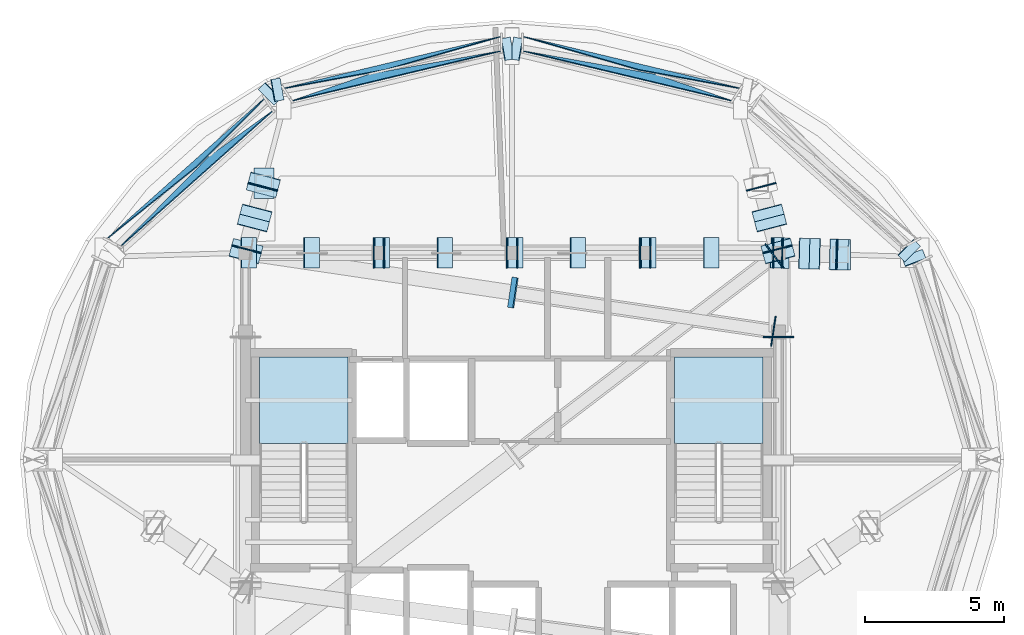
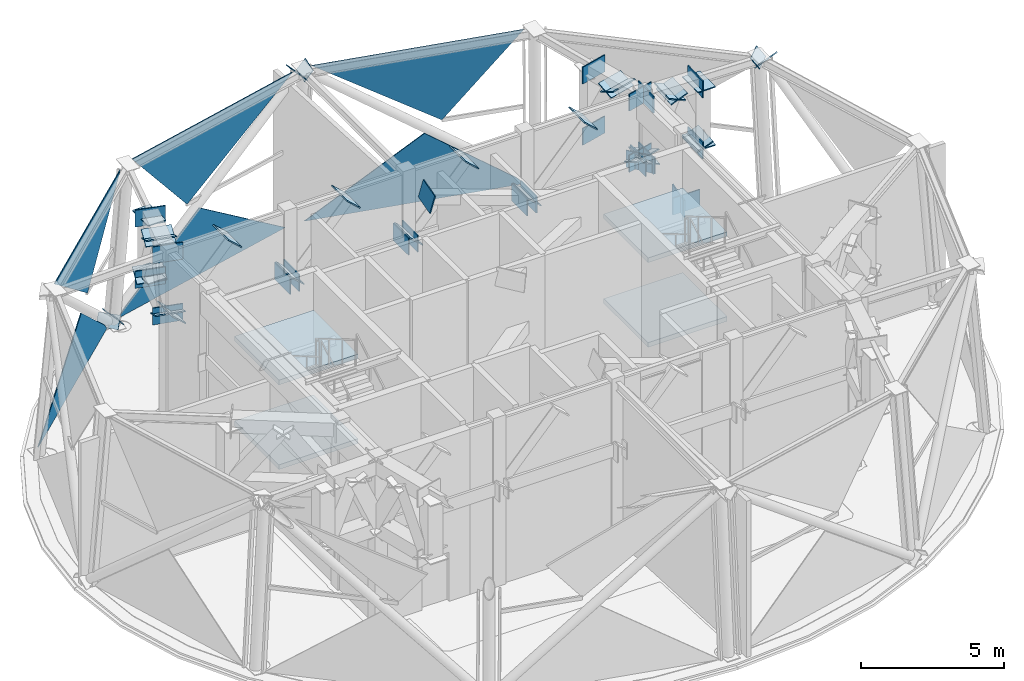
# One storey, part 6 of 12: 58 plates, 4 slabs, 5 elements without a shape of their own.
"""IFC4 building model written with IfcOpenShell, lengths in metres."""

import ifcopenshell
import ifcopenshell.guid

model = None  # the IFC model being written
_history = None  # IfcOwnerHistory: only IFC2X3 demands one
_inside = {}  # id of a spatial element -> (the spatial element, [elements in it])
_under = {}  # id of a project, library or spatial element -> (it, [spatial elements below it])
_declared = {}  # id of a project -> (the project, [libraries it declares])
_typed = {}  # id of a type object -> (the type object, [elements of that type])
_made_of = {}  # id of a material, layer set ... -> (it, [elements and type objects made of it])


def new_model(schema):
    """Start an empty IFC model of exactly this schema.

    Asked for "IFC4X3", IfcOpenShell would pick the latest addendum, in which some entities
    have other attributes; the version numbers below select the first issue.
    IFC2X3 requires an IfcOwnerHistory on every rooted entity: one is made here for all.
    """
    global model, _history
    if schema == "IFC4X3":
        model = ifcopenshell.file(schema_version=(4, 3, 0, 0))
    else:
        model = ifcopenshell.file(schema=schema)
    _inside.clear()
    _under.clear()
    _declared.clear()
    _typed.clear()
    _made_of.clear()
    _history = None
    if model.schema == "IFC2X3":
        org = make("IfcOrganization", Name="unknown")
        user = make(
            "IfcPersonAndOrganization",
            ThePerson=make("IfcPerson", FamilyName="unknown"),
            TheOrganization=org,
        )
        app = make(
            "IfcApplication",
            ApplicationDeveloper=org,
            Version="unknown",
            ApplicationFullName="unknown",
            ApplicationIdentifier="unknown",
        )
        _history = make(
            "IfcOwnerHistory",
            OwningUser=user,
            OwningApplication=app,
            ChangeAction="ADDED",
            CreationDate=0,
        )
    return model


def make(cls, **values):
    """One entity of the class cls with the attributes given. An attribute that is None is left unset."""
    return model.create_entity(
        cls, **{name: value for name, value in values.items() if value is not None}
    )


def rooted(cls, **values):
    """An entity with a GlobalId (a new one), such as an element, a storey or a relation."""
    return make(cls, GlobalId=ifcopenshell.guid.new(), OwnerHistory=_history, **values)


def si_unit(unit_type, name, prefix=None):
    """IfcSIUnit, for example si_unit("LENGTHUNIT", "METRE", prefix="MILLI")."""
    return make("IfcSIUnit", UnitType=unit_type, Prefix=prefix, Name=name)


def assignment(units):
    """IfcUnitAssignment: the units of a project."""
    return None if units is None else make("IfcUnitAssignment", Units=units)


def point(xyz):
    """IfcCartesianPoint."""
    return None if xyz is None else make("IfcCartesianPoint", Coordinates=xyz)


def direction(xyz):
    """IfcDirection."""
    return None if xyz is None else make("IfcDirection", DirectionRatios=xyz)


def frame(location, z_axis=None, x_axis=None):
    """IfcAxis2Placement3D, a coordinate frame: its origin and axes. An axis left out is left unset."""
    return make(
        "IfcAxis2Placement3D",
        Location=point(location),
        Axis=direction(z_axis),
        RefDirection=direction(x_axis),
    )


def frame_2d(location, x_axis=None):
    """IfcAxis2Placement2D, a coordinate frame in the plane: its origin and x axis."""
    return make(
        "IfcAxis2Placement2D", Location=point(location), RefDirection=direction(x_axis)
    )


def origin():
    """The frame at (0, 0, 0) with its axes left unset."""
    return frame((0.0, 0.0, 0.0))


def origin_2d():
    """The frame at (0, 0) in the plane with its x axis left unset."""
    return frame_2d((0.0, 0.0))


def place(relative_to, where):
    """IfcLocalPlacement: puts the frame where relative to a parent placement (None: the world)."""
    return make(
        "IfcLocalPlacement", PlacementRelTo=relative_to, RelativePlacement=where
    )


def context(
    kind, dimensions, precision=None, world=None, true_north=None, identifier=None
):
    """IfcGeometricRepresentationContext, for example the 3D "Model" context."""
    return make(
        "IfcGeometricRepresentationContext",
        ContextIdentifier=identifier,
        ContextType=kind,
        CoordinateSpaceDimension=dimensions,
        Precision=precision,
        WorldCoordinateSystem=world,
        TrueNorth=true_north,
    )


def subcontext(parent, identifier, kind, view, scale=None):
    """IfcGeometricRepresentationSubContext, for example "Body" below "Model"."""
    return make(
        "IfcGeometricRepresentationSubContext",
        ContextIdentifier=identifier,
        ContextType=kind,
        ParentContext=parent,
        TargetScale=scale,
        TargetView=view,
    )


def project(units=None, contexts=None):
    """IfcProject with its units and contexts."""
    return rooted(
        "IfcProject",
        Name="project",
        RepresentationContexts=contexts,
        UnitsInContext=assignment(units),
    )


def spatial(cls, under=None, at=None, **own):
    """A site, building, storey or space (cls), placed at a placement, below another one or the project."""
    s = rooted(cls, ObjectPlacement=at, **own)
    if under is not None:
        _under.setdefault(under.id(), (under, []))[1].append(s)
    return s


def polyline(points):
    """IfcPolyline through the points."""
    return make("IfcPolyline", Points=[point(p) for p in points])


def profile(cls, at=None, kind="AREA", **sizes):
    """A parametric profile (cls). Its sizes go by their IFC names, for example OverallWidth=200.0."""
    return make(cls, ProfileType=kind, Position=at, **sizes)


def rectangle(**sizes):
    """IfcRectangleProfileDef."""
    return profile("IfcRectangleProfileDef", **sizes)


def outline(outer, holes=None, kind="AREA"):
    """IfcArbitraryClosedProfileDef: a profile drawn as a closed curve; with holes, ...WithVoids."""
    if holes is None:
        return make("IfcArbitraryClosedProfileDef", ProfileType=kind, OuterCurve=outer)
    return make(
        "IfcArbitraryProfileDefWithVoids",
        ProfileType=kind,
        OuterCurve=outer,
        InnerCurves=holes,
    )


def extrude(swept, where, along, depth):
    """IfcExtrudedAreaSolid: the profile swept, set in the frame where, extruded along a direction by depth."""
    return make(
        "IfcExtrudedAreaSolid",
        SweptArea=swept,
        Position=where,
        ExtrudedDirection=direction(along),
        Depth=depth,
    )


def shape(context_of_items, identifier, shape_type, items):
    """IfcShapeRepresentation: the items that make up one representation, for example the "Body"."""
    return make(
        "IfcShapeRepresentation",
        ContextOfItems=context_of_items,
        RepresentationIdentifier=identifier,
        RepresentationType=shape_type,
        Items=items,
    )


def material(Name=None, Category=None):
    """IfcMaterial."""
    return make("IfcMaterial", Name=Name, Category=Category)


def layer(
    of_material, thickness, ventilated=None, Name=None, Category=None, Priority=None
):
    """IfcMaterialLayer: one layer of a wall or slab, of a material (None: an air gap)."""
    return make(
        "IfcMaterialLayer",
        Material=of_material,
        LayerThickness=thickness,
        IsVentilated=ventilated,
        Name=Name,
        Category=Category,
        Priority=Priority,
    )


def layer_set(layers, Name=None):
    """IfcMaterialLayerSet."""
    return make("IfcMaterialLayerSet", MaterialLayers=layers, LayerSetName=Name)


def made_of(thing, what):
    """Note that an element or type object is made of a material, layer set ...; save() writes the relation."""
    if what is not None:
        _made_of.setdefault(what.id(), (what, []))[1].append(thing)
    return thing


def type_object(cls, material=None, **own):
    """A type object (cls), such as IfcWallType, which elements share."""
    return made_of(rooted(cls, **own), material)


def element(
    cls,
    number,
    at=None,
    inside=None,
    cuts=None,
    type_object=None,
    material=None,
    context=None,
    identifier="Body",
    shape_type=None,
    held_by="IfcProductDefinitionShape",
    body=None,
    shapes=None,
    **own,
):
    """One element of the class cls, such as IfcWall. Its Tag is "e" and its number.

    at: its placement. inside: the storey or other place that contains it. cuts: it is an
    opening in that element (IfcRelVoidsElement). A single representation is given by context,
    identifier, shape_type and body (its items); several are given by shapes. held_by: the class
    of the entity that holds the representations. save() writes the other relations.
    """
    e = rooted(cls, Tag="e%d" % number, ObjectPlacement=at, **own)
    if body is not None:
        shapes = [shape(context, identifier, shape_type, body)]
    if shapes is not None:
        e.Representation = make(held_by, Representations=shapes)
    if inside is not None:
        _inside.setdefault(inside.id(), (inside, []))[1].append(e)
    if cuts is not None:
        rooted(
            "IfcRelVoidsElement", RelatingBuildingElement=cuts, RelatedOpeningElement=e
        )
    if type_object is not None:
        _typed.setdefault(type_object.id(), (type_object, []))[1].append(e)
    return made_of(e, material)


def aggregate(whole, parts):
    """IfcRelAggregates: a whole, such as a stair, and the parts it consists of."""
    return rooted("IfcRelAggregates", RelatingObject=whole, RelatedObjects=parts)


def save(model, path):
    """Write the relations noted so far, then the file.

    IfcRelAggregates (storeys below a building ...), IfcRelContainedInSpatialStructure (elements
    in a storey), IfcRelDefinesByType, IfcRelAssociatesMaterial and IfcRelDeclares: one each for
    every whole, place, type object, material and project.
    """
    for whole, parts in _under.values():
        aggregate(whole, parts)
    for where, things in _inside.values():
        rooted(
            "IfcRelContainedInSpatialStructure",
            RelatedElements=things,
            RelatingStructure=where,
        )
    for kind, things in _typed.values():
        rooted("IfcRelDefinesByType", RelatedObjects=things, RelatingType=kind)
    for what, things in _made_of.values():
        rooted("IfcRelAssociatesMaterial", RelatedObjects=things, RelatingMaterial=what)
    for by, libraries in _declared.values():
        rooted("IfcRelDeclares", RelatingContext=by, RelatedDefinitions=libraries)
    model.write(path)


model = new_model("IFC4")

# Units and contexts
model_context = context("Model", 3, precision=1e-05, world=origin(), true_north=direction((0.0, 1.0)))
body_context = subcontext(model_context, "Body", "Model", "MODEL_VIEW")
ifc_project = project(units=[si_unit("LENGTHUNIT", "METRE"), si_unit("AREAUNIT", "SQUARE_METRE"), si_unit("VOLUMEUNIT", "CUBIC_METRE"), si_unit("PLANEANGLEUNIT", "RADIAN"), si_unit("MASSUNIT", "GRAM", prefix="KILO")], contexts=[model_context])

# Site, building, storey
site_placement = place(None, origin())
site = spatial("IfcSite", under=ifc_project, at=site_placement, CompositionType="ELEMENT")
building_placement = place(site_placement, origin())
building = spatial("IfcBuilding", under=site, at=building_placement, Name="Vantalir Tower", CompositionType="ELEMENT")
storey_placement = place(building_placement, frame((0.0, 0.0, 304.5)))
storey = spatial("IfcBuildingStorey", under=building, at=storey_placement, Name="L76", CompositionType="ELEMENT", Elevation=304.5)

# Curtain wall, plates
ifc_material_1 = material(Name="Champagne-silver PVDF aluminium and double-silver Low-E glass", Category="aluminium")
ifc_layer_1 = layer(ifc_material_1, 0.25)
ifc_layer_set_1 = layer_set([ifc_layer_1], Name="Champagne-silver PVDF aluminium and double-silver Low-E glass")
curtain_wall_type = type_object("IfcCurtainWallType", Name="CW-CROWN-PT", PredefinedType="USERDEFINED", material=ifc_layer_set_1)
curtain_wall_1_placement = place(storey_placement, origin())
curtain_wall_1 = element("IfcCurtainWall", 1, at=curtain_wall_1_placement, inside=storey, type_object=curtain_wall_type, Name="L76 Quilted Pyramid-Diamond Curtain Wall S03", ObjectType="UNITISED CURTAIN WALL", PredefinedType="USERDEFINED")
ifc_material_2 = material(Name="Faceted crown Low-E glass IGU", Category="glass")
ifc_layer_2 = layer(ifc_material_2, 0.033935546875)
ifc_layer_set_2 = layer_set([ifc_layer_2], Name="Faceted crown Low-E glass IGU")
plate_type_1 = type_object("IfcPlateType", Name="CWP-IGU-CRN-34", PredefinedType="CURTAIN_PANEL", material=ifc_layer_set_2)
plate_1_placement = place(storey_placement, frame((39.7265625, 38.390625, 0.049560546875), z_axis=(0.231602660669, 0.970565018604, 0.066058702936), x_axis=(-0.972688241841, 0.232115437018, -8.989938e-05)))
plate_1 = element("IfcPlate", 2, at=plate_1_placement, type_object=plate_type_1, Name="CW-L76-S03 Pyramid Diamond Facet 1L", PredefinedType="CURTAIN_PANEL", context=body_context, shape_type="SweptSolid", body=[
    extrude(outline(polyline([(0.0, 0.0), (8.053168529048223, -8.673617379884035e-19), (3.716750632867985, 3.039443789414845), (0.2773858312166678, 0.3124835089575333), (0.0, 0.0)])), origin(), (0.0, 0.0, -1.0), 0.033935546875),
])
plate_2_placement = place(storey_placement, frame((31.8935546875, 39.736328125, 7.02099609375), z_axis=(0.231351826003, 0.969610861897, 0.079568266897), x_axis=(0.972696615583, -0.232080341921, -9.448243e-05)))
plate_2 = element("IfcPlate", 3, at=plate_2_placement, type_object=plate_type_1, Name="CW-L76-S03 Pyramid Diamond Facet 2U", PredefinedType="CURTAIN_PANEL", context=body_context, shape_type="SweptSolid", body=[
    extrude(outline(polyline([(0.0, 0.0), (7.751937327965951, -1.8214596497756474e-17), (4.84139455748498, 3.482263072949367), (0.0, 0.0)])), origin(), (0.0, 0.0, -1.0), 0.033935546875),
])
aggregate(curtain_wall_1, [plate_1, plate_2])

curtain_wall_2_placement = place(storey_placement, origin())
curtain_wall_2 = element("IfcCurtainWall", 4, at=curtain_wall_2_placement, inside=storey, type_object=curtain_wall_type, Name="L76 Quilted Pyramid-Diamond Curtain Wall S04", ObjectType="UNITISED CURTAIN WALL", PredefinedType="USERDEFINED")
plate_3_placement = place(storey_placement, frame((31.106689453125, 40.259765625, 0.048828125), z_axis=(-0.231608581119, 0.970562169231, 0.066079806366), x_axis=(-0.972686754468, -0.232121669984, 8.9474678e-05)))
plate_3 = element("IfcPlate", 5, at=plate_3_placement, type_object=plate_type_1, Name="CW-L76-S04 Pyramid Diamond Facet 1L", PredefinedType="CURTAIN_PANEL", context=body_context, shape_type="SweptSolid", body=[
    extrude(outline(polyline([(0.0, 0.0), (8.053168528060962, 1.8648277366750676e-17), (7.775545225171666, 0.3124872774646173), (4.336180443328358, 3.0396911604686), (0.0, 0.0)])), origin(), (0.0, 0.0, -1.0), 0.033935546875),
])
plate_4_placement = place(storey_placement, frame((23.567138671875, 37.937255859375, 7.020263671875), z_axis=(-0.231379731851, 0.969602214932, 0.079592490145), x_axis=(0.972689829075, 0.232108783733, 9.4494009e-05)))
plate_4 = element("IfcPlate", 6, at=plate_4_placement, type_object=plate_type_1, Name="CW-L76-S04 Pyramid Diamond Facet 2U", PredefinedType="CURTAIN_PANEL", context=body_context, shape_type="SweptSolid", body=[
    extrude(outline(polyline([(0.0, 0.0), (7.750987432240818, -1.734723475976807e-18), (2.9098384115597766, 3.4822697955235453), (0.0, 0.0)])), origin(), (0.0, 0.0, -1.0), 0.033935546875),
])
aggregate(curtain_wall_2, [plate_3, plate_4])

curtain_wall_3_placement = place(storey_placement, origin())
curtain_wall_3 = element("IfcCurtainWall", 7, at=curtain_wall_3_placement, inside=storey, type_object=curtain_wall_type, Name="L76 Quilted Pyramid-Diamond Curtain Wall S05", ObjectType="UNITISED CURTAIN WALL", PredefinedType="USERDEFINED")
plate_5_placement = place(storey_placement, frame((22.578369140625, 38.02783203125, 0.0498046875), z_axis=(-0.663493878965, 0.744952634524, 0.069436625004), x_axis=(-0.746759466525, -0.6650941963, -9.5934364e-05)))
plate_5 = element("IfcPlate", 8, at=plate_5_placement, type_object=plate_type_1, Name="CW-L76-S05 Pyramid Diamond Facet 1L", PredefinedType="CURTAIN_PANEL", context=body_context, shape_type="SweptSolid", body=[
    extrude(outline(polyline([(0.0, 0.0), (7.641079914454455, -2.0274580625478933e-17), (3.491071217020238, 3.040388159549212), (0.28993999051542213, 0.3487693892709729), (0.0, 0.0)])), origin(), (0.0, 0.0, -1.0), 0.033935546875),
])
plate_6_placement = place(storey_placement, frame((17.3798828125, 32.68408203125, 7.020751953125), z_axis=(-0.662714270449, 0.744242613917, 0.083142813115), x_axis=(0.746824715228, 0.665020932239, -6.6399175e-05)))
plate_6 = element("IfcPlate", 9, at=plate_6_placement, type_object=plate_type_1, Name="CW-L76-S05 Pyramid Diamond Facet 2U", PredefinedType="CURTAIN_PANEL", context=body_context, shape_type="SweptSolid", body=[
    extrude(outline(polyline([(0.0, 0.0), (7.353724705939372, -1.2847795743953228e-17), (4.5444695739133065, 3.48294887961231), (0.0, 0.0)])), origin(), (0.0, 0.0, -1.0), 0.033935546875),
])
aggregate(curtain_wall_3, [plate_5, plate_6])

# Plates
ifc_material_3 = material(Name="Steel S460", Category="steel")
ifc_layer_3 = layer(ifc_material_3, 0.044921875)
ifc_layer_set_3 = layer_set([ifc_layer_3], Name="Steel S460")
plate_type_2 = type_object("IfcPlateType", Name="PLT-BN-01", PredefinedType="USERDEFINED", material=ifc_layer_set_3)
for number, where, z_axis, x_axis, name in (
    (10, (41.10009765625, 29.4150390625, 3.83984375), (0.0, 0.0, 1.0), (0.0, 1.0, 0.0), "Node Cap Plate MEM-L76-BTCB-08 End"),
    (11, (40.9169921875, 29.626953125, 3.83984375), (0.0, 0.0, 1.0), (-0.989162420293, 0.146825427908, 0.0), "Node Cap Plate MEM-L76-BTCB-09 Start"),
):
    element("IfcPlate", number, at=place(storey_placement, frame(where, z_axis=z_axis, x_axis=x_axis)), inside=storey, type_object=plate_type_2, Name=name, ObjectType="FLANGE_PLATE", PredefinedType="USERDEFINED", context=body_context, shape_type="SweptSolid", body=[
        extrude(rectangle(XDim=0.044921875, YDim=1.10009765625, at=origin_2d()), origin(), (0.0, 0.0, 1.0), 0.719970703125),
    ])
plate_7_placement = place(storey_placement, frame((31.500244140625, 31.5810546875, 6.468994140625), z_axis=(-0.954954922343, 0.141732708353, 0.260716197571), x_axis=(-0.146802682342, -0.989165795857, 2.7628286e-05)))
element("IfcPlate", 12, at=plate_7_placement, inside=storey, type_object=plate_type_2, Name="Node Cap Plate MEM-L76-BTDG-09A End", ObjectType="FLANGE_PLATE", PredefinedType="USERDEFINED", context=body_context, shape_type="SweptSolid", body=[
    extrude(outline(polyline([(0.0, 0.0), (1.1000362610263053, 0.0), (1.1001056834095588, 0.7199366224378649), (3.35818846350386e-05, 0.7199995851968726), (0.0, 0.0)])), origin(), (0.0, 0.0, -1.0), 0.044921875),
])
plate_8_placement = place(storey_placement, frame((26.514892578125, 32.449951171875, 3.83984375), z_axis=(0.0, 0.0, 1.0), x_axis=(1.0, 0.0, 0.0)))
element("IfcPlate", 13, at=plate_8_placement, inside=storey, type_object=plate_type_2, Name="Node Cap Plate MEM-L76-BTCB-10 End", ObjectType="FLANGE_PLATE", PredefinedType="USERDEFINED", context=body_context, shape_type="SweptSolid", body=[
    extrude(rectangle(XDim=0.044921875, YDim=1.10009765625, at=origin_2d()), origin(), (0.0, 0.0, 1.0), 0.719970703125),
])
plate_9_placement = place(storey_placement, frame((22.29248046875, 31.89990234375, 4.095458984375), z_axis=(0.675402139581, 0.0, 0.737449625296), x_axis=(0.0, 1.0, 0.0)))
element("IfcPlate", 14, at=plate_9_placement, inside=storey, type_object=plate_type_2, Name="Node Cap Plate MEM-L76-BTDG-10A Start", ObjectType="FLANGE_PLATE", PredefinedType="USERDEFINED", context=body_context, shape_type="SweptSolid", body=[
    extrude(outline(polyline([(0.0, 0.0), (1.10009765625, 0.0), (1.10009765625, 0.720057128189561), (0.0, 0.720057128189561), (0.0, 0.0)])), origin(), (0.0, 0.0, -1.0), 0.044921875),
])
plate_10_placement = place(storey_placement, frame((24.556640625, 31.89990234375, 6.567138671875), z_axis=(0.675571040077, 0.0, 0.737294900165), x_axis=(0.0, 1.0, 0.0)))
element("IfcPlate", 15, at=plate_10_placement, inside=storey, type_object=plate_type_2, Name="Node Cap Plate MEM-L76-BTDG-10A End", ObjectType="FLANGE_PLATE", PredefinedType="USERDEFINED", context=body_context, shape_type="SweptSolid", body=[
    extrude(outline(polyline([(0.0, 0.0), (1.10009765625, 0.0), (1.10009765625, 0.719877105662119), (0.0, 0.719877105662119), (0.0, 0.0)])), origin(), (0.0, 0.0, -1.0), 0.044921875),
])
for number, where, z_axis, x_axis, name in (
    (16, (26.885009765625, 32.449951171875, 3.83984375), (0.0, 0.0, 1.0), (1.0, 0.0, 0.0), "Node Cap Plate MEM-L76-BTCB-11 Start"),
    (17, (31.31494140625, 32.449951171875, 3.83984375), (0.0, 0.0, 1.0), (1.0, 0.0, 0.0), "Node Cap Plate MEM-L76-BTCB-11 End"),
):
    element("IfcPlate", number, at=place(storey_placement, frame(where, z_axis=z_axis, x_axis=x_axis)), inside=storey, type_object=plate_type_2, Name=name, ObjectType="FLANGE_PLATE", PredefinedType="USERDEFINED", context=body_context, shape_type="SweptSolid", body=[
        extrude(rectangle(XDim=0.044921875, YDim=1.10009765625, at=origin_2d()), origin(), (0.0, 0.0, 1.0), 0.719970703125),
    ])
for number, where, z_axis, x_axis, name in (
    (18, (27.092529296875, 31.89990234375, 4.095458984375), (0.675402139581, 0.0, 0.737449625296), (0.0, 1.0, 0.0), "Node Cap Plate MEM-L76-BTDG-11A Start"),
    (19, (29.356689453125, 31.89990234375, 6.567138671875), (0.675402139581, 0.0, 0.737449625296), (0.0, 1.0, 0.0), "Node Cap Plate MEM-L76-BTDG-11A End"),
):
    element("IfcPlate", number, at=place(storey_placement, frame(where, z_axis=z_axis, x_axis=x_axis)), inside=storey, type_object=plate_type_2, Name=name, ObjectType="FLANGE_PLATE", PredefinedType="USERDEFINED", context=body_context, shape_type="SweptSolid", body=[
        extrude(outline(polyline([(0.0, 0.0), (1.10009765625, 0.0), (1.10009765625, 0.720057128189561), (0.0, 0.720057128189561), (0.0, 0.0)])), origin(), (0.0, 0.0, -1.0), 0.044921875),
    ])
for number, where, z_axis, x_axis, name in (
    (20, (31.68505859375, 32.449951171875, 3.83984375), (0.0, 0.0, 1.0), (1.0, 0.0, 0.0), "Node Cap Plate MEM-L76-BTCB-12 Start"),
    (21, (36.114990234375, 32.449951171875, 3.83984375), (0.0, 0.0, 1.0), (1.0, 0.0, 0.0), "Node Cap Plate MEM-L76-BTCB-12 End"),
):
    element("IfcPlate", number, at=place(storey_placement, frame(where, z_axis=z_axis, x_axis=x_axis)), inside=storey, type_object=plate_type_2, Name=name, ObjectType="FLANGE_PLATE", PredefinedType="USERDEFINED", context=body_context, shape_type="SweptSolid", body=[
        extrude(rectangle(XDim=0.044921875, YDim=1.10009765625, at=origin_2d()), origin(), (0.0, 0.0, 1.0), 0.719970703125),
    ])
plate_11_placement = place(storey_placement, frame((31.892333984375, 31.89990234375, 4.095458984375), z_axis=(0.675571040077, 0.0, 0.737294900165), x_axis=(0.0, 1.0, 0.0)))
element("IfcPlate", 22, at=plate_11_placement, inside=storey, type_object=plate_type_2, Name="Node Cap Plate MEM-L76-BTDG-12A Start", ObjectType="FLANGE_PLATE", PredefinedType="USERDEFINED", context=body_context, shape_type="SweptSolid", body=[
    extrude(outline(polyline([(0.0, 0.0), (1.10009765625, 0.0), (1.10009765625, 0.719877105662119), (0.0, 0.719877105662119), (0.0, 0.0)])), origin(), (0.0, 0.0, -1.0), 0.044921875),
])
plate_12_placement = place(storey_placement, frame((34.15673828125, 31.89990234375, 6.567138671875), z_axis=(0.675402139581, 0.0, 0.737449625296), x_axis=(0.0, 1.0, 0.0)))
element("IfcPlate", 23, at=plate_12_placement, inside=storey, type_object=plate_type_2, Name="Node Cap Plate MEM-L76-BTDG-12A End", ObjectType="FLANGE_PLATE", PredefinedType="USERDEFINED", context=body_context, shape_type="SweptSolid", body=[
    extrude(outline(polyline([(0.0, 0.0), (1.10009765625, 0.0), (1.10009765625, 0.720057128189561), (0.0, 0.720057128189561), (0.0, 0.0)])), origin(), (0.0, 0.0, -1.0), 0.044921875),
])
for number, where, z_axis, x_axis, name in (
    (24, (36.485107421875, 32.449951171875, 3.83984375), (0.0, 0.0, 1.0), (1.0, 0.0, 0.0), "Node Cap Plate MEM-L76-BTCB-13 Start"),
    (25, (40.9150390625, 32.449951171875, 3.83984375), (0.0, 0.0, 1.0), (1.0, 0.0, 0.0), "Node Cap Plate MEM-L76-BTCB-13 End"),
):
    element("IfcPlate", number, at=place(storey_placement, frame(where, z_axis=z_axis, x_axis=x_axis)), inside=storey, type_object=plate_type_2, Name=name, ObjectType="FLANGE_PLATE", PredefinedType="USERDEFINED", context=body_context, shape_type="SweptSolid", body=[
        extrude(rectangle(XDim=0.044921875, YDim=1.10009765625, at=origin_2d()), origin(), (0.0, 0.0, 1.0), 0.719970703125),
    ])
plate_13_placement = place(storey_placement, frame((36.6923828125, 31.89990234375, 4.095458984375), z_axis=(0.675571040077, 0.0, 0.737294900165), x_axis=(0.0, 1.0, 0.0)))
element("IfcPlate", 26, at=plate_13_placement, inside=storey, type_object=plate_type_2, Name="Node Cap Plate MEM-L76-BTDG-13A Start", ObjectType="FLANGE_PLATE", PredefinedType="USERDEFINED", context=body_context, shape_type="SweptSolid", body=[
    extrude(outline(polyline([(0.0, 0.0), (1.10009765625, 0.0), (1.10009765625, 0.719877105662119), (0.0, 0.719877105662119), (0.0, 0.0)])), origin(), (0.0, 0.0, -1.0), 0.044921875),
])
plate_14_placement = place(storey_placement, frame((38.956787109375, 31.89990234375, 6.567138671875), z_axis=(0.675402139581, 0.0, 0.737449625296), x_axis=(0.0, 1.0, 0.0)))
element("IfcPlate", 27, at=plate_14_placement, inside=storey, type_object=plate_type_2, Name="Node Cap Plate MEM-L76-BTDG-13A End", ObjectType="FLANGE_PLATE", PredefinedType="USERDEFINED", context=body_context, shape_type="SweptSolid", body=[
    extrude(outline(polyline([(0.0, 0.0), (1.10009765625, 0.0), (1.10009765625, 0.720057128189561), (0.0, 0.720057128189561), (0.0, 0.0)])), origin(), (0.0, 0.0, -1.0), 0.044921875),
])
for number, where, z_axis, x_axis, name in (
    (28, (40.952880859375, 32.337890625, 3.83984375), (0.0, 0.0, 1.0), (-0.795007880656, -0.606599101298, 0.0), "Node Cap Plate MEM-L76-BTCB-14 Start"),
    (29, (41.235107421875, 32.446044921875, 3.83984375), (0.0, 0.0, 1.0), (0.999615457188, -0.027729726845, 0.0), "Node Cap Plate MEM-L76-ORCB-02 Start"),
    (30, (43.199951171875, 32.39208984375, 3.83984375), (0.0, 0.0, 1.0), (0.999615457188, -0.027729726845, 0.0), "Node Cap Plate MEM-L76-ORCB-02 End"),
    (31, (41.235107421875, 32.446044921875, 6.4599609375), (0.0, 0.0, 1.0), (0.999615457188, -0.027729726845, 0.0), "Node Cap Plate MEM-L76-ORCT-02 Start"),
    (32, (43.199951171875, 32.39208984375, 6.4599609375), (0.0, 0.0, 1.0), (0.999615457188, -0.027729726845, 0.0), "Node Cap Plate MEM-L76-ORCT-02 End"),
):
    element("IfcPlate", number, at=place(storey_placement, frame(where, z_axis=z_axis, x_axis=x_axis)), inside=storey, type_object=plate_type_2, Name=name, ObjectType="FLANGE_PLATE", PredefinedType="USERDEFINED", context=body_context, shape_type="SweptSolid", body=[
        extrude(rectangle(XDim=0.044921875, YDim=1.10009765625, at=origin_2d()), origin(), (0.0, 0.0, 1.0), 0.719970703125),
    ])
plate_15_placement = place(storey_placement, frame((41.477783203125, 31.889404296875, 4.2041015625), z_axis=(0.392124653168, -0.010883886232, 0.919847703372), x_axis=(0.027748108738, 0.999614947097, -1.111222e-06)))
element("IfcPlate", 33, at=plate_15_placement, inside=storey, type_object=plate_type_2, Name="Node Cap Plate MEM-L76-ORDG-02A Start", ObjectType="FLANGE_PLATE", PredefinedType="USERDEFINED", context=body_context, shape_type="SweptSolid", body=[
    extrude(outline(polyline([(0.0, 0.0), (1.0997887256765497, 0.0), (1.0999636718190295, 0.7200852507912707), (-6.910047546363656e-05, 0.720079019231253), (0.0, 0.0)])), origin(), (0.0, 0.0, -1.0), 0.044921875),
])
plate_16_placement = place(storey_placement, frame((42.500732421875, 31.86083984375, 6.602294921875), z_axis=(0.392411358645, -0.010891844084, 0.919725335814), x_axis=(0.027742900604, 0.999615091655, 1.11164e-06)))
element("IfcPlate", 34, at=plate_16_placement, inside=storey, type_object=plate_type_2, Name="Node Cap Plate MEM-L76-ORDG-02A End", ObjectType="FLANGE_PLATE", PredefinedType="USERDEFINED", context=body_context, shape_type="SweptSolid", body=[
    extrude(outline(polyline([(0.0, 0.0), (1.1000327723121428, 3.469446951953614e-18), (1.0999677510020844, 0.7201748254672613), (0.00017902534317790783, 0.7201810548159808), (0.0, 0.0)])), origin(), (0.0, 0.0, -1.0), 0.044921875),
])
plate_17_placement = place(storey_placement, frame((41.934326171875, 32.97705078125, 6.602294921875), z_axis=(-0.392475453899, 0.010848844141, 0.919698494436), x_axis=(-0.027725332898, -0.999615578266, -4.0055523e-05)))
element("IfcPlate", 35, at=plate_17_placement, inside=storey, type_object=plate_type_2, Name="Node Cap Plate MEM-L76-ORDG-02B Start", ObjectType="FLANGE_PLATE", PredefinedType="USERDEFINED", context=body_context, shape_type="SweptSolid", body=[
    extrude(outline(polyline([(0.0, 0.0), (1.1000327712696456, 3.469446951953614e-18), (1.0999677520445201, 0.720174823875085), (-5.8250345023347653e-05, 0.719950374532363), (0.0, 0.0)])), origin(), (0.0, 0.0, -1.0), 0.044921875),
])
plate_18_placement = place(storey_placement, frame((42.957275390625, 32.94873046875, 4.2041015625), z_axis=(-0.392188718311, 0.010840918168, 0.919820897633), x_axis=(-0.027725357865, -0.999615577574, -4.0031586e-05)))
element("IfcPlate", 36, at=plate_18_placement, inside=storey, type_object=plate_type_2, Name="Node Cap Plate MEM-L76-ORDG-02B End", ObjectType="FLANGE_PLATE", PredefinedType="USERDEFINED", context=body_context, shape_type="SweptSolid", body=[
    extrude(outline(polyline([(0.0, 0.0), (1.1000327712711695, 3.469446951953614e-18), (1.0999677520429962, 0.7200790180210828), (-5.825034197551066e-05, 0.7198545388062698), (0.0, 0.0)])), origin(), (0.0, 0.0, -1.0), 0.044921875),
])
for number, where, z_axis, x_axis, name in (
    (37, (42.97509765625, 32.93798828125, 4.2880859375), (0.0, 0.0, 1.0), (0.0, -1.0, 0.0), "Node Cap Plate MEM-L76-ORVP-02 Start"),
    (38, (42.97509765625, 32.93798828125, 6.777099609375), (0.0, 0.0, 1.0), (0.0, -1.0, 0.0), "Node Cap Plate MEM-L76-ORVP-02 End"),
):
    element("IfcPlate", number, at=place(storey_placement, frame(where, z_axis=z_axis, x_axis=x_axis)), inside=storey, type_object=plate_type_2, Name=name, ObjectType="FLANGE_PLATE", PredefinedType="USERDEFINED", context=body_context, shape_type="SweptSolid", body=[
        extrude(outline(polyline([(0.0, 0.0), (1.10009765625, 0.0), (1.10009765625, 0.719970703125), (0.0, 0.719970703125), (0.0, 0.0)])), origin(), (0.0, 0.0, -1.0), 0.044921875),
    ])
for number, where, z_axis, x_axis, name in (
    (39, (41.06591796875, 32.5810546875, 3.83984375), (0.0, 0.0, 1.0), (-0.253217680811, 0.967409327082, 0.0), "Node Cap Plate MEM-L76-ORCB-03 Start"),
    (40, (40.47705078125, 34.8291015625, 3.83984375), (0.0, 0.0, 1.0), (-0.253217680811, 0.967409327082, 0.0), "Node Cap Plate MEM-L76-ORCB-03 End"),
    (41, (41.06591796875, 32.5810546875, 6.4599609375), (0.0, 0.0, 1.0), (-0.253217680811, 0.967409327082, 0.0), "Node Cap Plate MEM-L76-ORCT-03 Start"),
    (42, (40.47705078125, 34.8291015625, 6.4599609375), (0.0, 0.0, 1.0), (-0.253217680811, 0.967409327082, 0.0), "Node Cap Plate MEM-L76-ORCT-03 End"),
):
    element("IfcPlate", number, at=place(storey_placement, frame(where, z_axis=z_axis, x_axis=x_axis)), inside=storey, type_object=plate_type_2, Name=name, ObjectType="FLANGE_PLATE", PredefinedType="USERDEFINED", context=body_context, shape_type="SweptSolid", body=[
        extrude(rectangle(XDim=0.044921875, YDim=1.10009765625, at=origin_2d()), origin(), (0.0, 0.0, 1.0), 0.719970703125),
    ])
plate_19_placement = place(storey_placement, frame((41.53271484375, 32.96923828125, 4.181884765625), z_axis=(-0.112315380721, 0.429082160002, 0.89625540736), x_axis=(-0.967407181904, -0.253225876245, 0.0)))
element("IfcPlate", 43, at=plate_19_placement, inside=storey, type_object=plate_type_2, Name="Node Cap Plate MEM-L76-ORDG-03A Start", ObjectType="FLANGE_PLATE", PredefinedType="USERDEFINED", context=body_context, shape_type="SweptSolid", body=[
    extrude(outline(polyline([(0.0, 0.0), (1.1000631422647063, -2.7755575615628914e-17), (1.10013715614776, 0.7199737210616237), (7.401388305364584e-05, 0.7199737210616237), (0.0, 0.0)])), origin(), (0.0, 0.0, -1.0), 0.044921875),
])
plate_20_placement = place(storey_placement, frame((41.231201171875, 34.120849609375, 6.5859375), z_axis=(-0.112323116685, 0.429062492613, 0.896263853389), x_axis=(-0.967405781971, -0.253231224151, -1.1171139e-05)))
element("IfcPlate", 44, at=plate_20_placement, inside=storey, type_object=plate_type_2, Name="Node Cap Plate MEM-L76-ORDG-03A End", ObjectType="FLANGE_PLATE", PredefinedType="USERDEFINED", context=body_context, shape_type="SweptSolid", body=[
    extrude(outline(polyline([(0.0, 0.0), (1.1000631421792566, -2.7755575615628914e-17), (1.0999009728391775, 0.7200291304036487), (7.401371215987813e-05, 0.7199737209310807), (0.0, 0.0)])), origin(), (0.0, 0.0, -1.0), 0.044921875),
])
plate_21_placement = place(storey_placement, frame((40.311767578125, 33.289306640625, 6.5859375), z_axis=(0.112285823086, -0.429157301912, 0.896223133014), x_axis=(0.967412530293, 0.253205439141, 4.2680068e-05)))
element("IfcPlate", 45, at=plate_21_placement, inside=storey, type_object=plate_type_2, Name="Node Cap Plate MEM-L76-ORDG-03B Start", ObjectType="FLANGE_PLATE", PredefinedType="USERDEFINED", context=body_context, shape_type="SweptSolid", body=[
    extrude(outline(polyline([(0.0, 0.0), (1.100063141017307, 2.7755575615628914e-17), (1.1000753346714804, 0.7197620461343579), (7.401138833883585e-05, 0.719973719155952), (0.0, 0.0)])), origin(), (0.0, 0.0, -1.0), 0.044921875),
])
for number, where, z_axis, x_axis, name in (
    (46, (21.93408203125, 32.5810546875, 3.83984375), (0.0, 0.0, 1.0), (0.253217680811, 0.967409327082, 0.0), "Node Cap Plate MEM-L76-ORCB-04 Start"),
    (47, (22.52294921875, 34.8291015625, 3.83984375), (0.0, 0.0, 1.0), (0.253217680811, 0.967409327082, 0.0), "Node Cap Plate MEM-L76-ORCB-04 End"),
    (48, (21.93408203125, 32.5810546875, 6.4599609375), (0.0, 0.0, 1.0), (0.253217680811, 0.967409327082, 0.0), "Node Cap Plate MEM-L76-ORCT-04 Start"),
    (49, (22.52294921875, 34.8291015625, 6.4599609375), (0.0, 0.0, 1.0), (0.253217680811, 0.967409327082, 0.0), "Node Cap Plate MEM-L76-ORCT-04 End"),
):
    element("IfcPlate", number, at=place(storey_placement, frame(where, z_axis=z_axis, x_axis=x_axis)), inside=storey, type_object=plate_type_2, Name=name, ObjectType="FLANGE_PLATE", PredefinedType="USERDEFINED", context=body_context, shape_type="SweptSolid", body=[
        extrude(rectangle(XDim=0.044921875, YDim=1.10009765625, at=origin_2d()), origin(), (0.0, 0.0, 1.0), 0.719970703125),
    ])
plate_22_placement = place(storey_placement, frame((22.531494140625, 32.690673828125, 4.181884765625), z_axis=(0.112315380721, 0.429082160002, 0.89625540736), x_axis=(-0.967407181904, 0.253225876245, 0.0)))
element("IfcPlate", 50, at=plate_22_placement, inside=storey, type_object=plate_type_2, Name="Node Cap Plate MEM-L76-ORDG-04A Start", ObjectType="FLANGE_PLATE", PredefinedType="USERDEFINED", context=body_context, shape_type="SweptSolid", body=[
    extrude(outline(polyline([(0.0, 0.0), (1.1000631422647063, 2.7755575615628914e-17), (1.0999891283816527, 0.7199737210616237), (-7.401388305364584e-05, 0.7199737210616237), (0.0, 0.0)])), origin(), (0.0, 0.0, -1.0), 0.044921875),
])
plate_23_placement = place(storey_placement, frame((22.8330078125, 33.84228515625, 6.5859375), z_axis=(0.112323116685, 0.429062492613, 0.896263853389), x_axis=(-0.967405781971, 0.253231224151, 1.1171139e-05)))
element("IfcPlate", 51, at=plate_23_placement, inside=storey, type_object=plate_type_2, Name="Node Cap Plate MEM-L76-ORDG-04A End", ObjectType="FLANGE_PLATE", PredefinedType="USERDEFINED", context=body_context, shape_type="SweptSolid", body=[
    extrude(outline(polyline([(0.0, 0.0), (1.1000631421792566, 2.7755575615628914e-17), (1.0999891284670966, 0.7199737209310807), (0.0001621693400790582, 0.7200291304036488), (0.0, 0.0)])), origin(), (0.0, 0.0, -1.0), 0.044921875),
])
plate_24_placement = place(storey_placement, frame((21.6240234375, 33.56787109375, 6.5859375), z_axis=(-0.112285823086, -0.429157301912, 0.896223133014), x_axis=(0.967412530293, -0.253205439141, -4.2680068e-05)))
element("IfcPlate", 52, at=plate_24_placement, inside=storey, type_object=plate_type_2, Name="Node Cap Plate MEM-L76-ORDG-04B Start", ObjectType="FLANGE_PLATE", PredefinedType="USERDEFINED", context=body_context, shape_type="SweptSolid", body=[
    extrude(outline(polyline([(0.0, 0.0), (1.100063141017307, -2.7755575615628914e-17), (1.0999891296289679, 0.719973719155952), (-1.2193654173476675e-05, 0.7197620461343578), (0.0, 0.0)])), origin(), (0.0, 0.0, -1.0), 0.044921875),
])
plate_25_placement = place(storey_placement, frame((21.925537109375, 34.71923828125, 4.181884765625), z_axis=(-0.112285823086, -0.429157301912, 0.896223133014), x_axis=(0.967456183722, -0.253038595387, 4.2682465e-05)))
element("IfcPlate", 53, at=plate_25_placement, inside=storey, type_object=plate_type_2, Name="Node Cap Plate MEM-L76-ORDG-04B End", ObjectType="FLANGE_PLATE", PredefinedType="USERDEFINED", context=body_context, shape_type="SweptSolid", body=[
    extrude(outline(polyline([(0.0, 0.0), (1.1000013436492388, 0.0), (1.1001276536507762, 0.7197620351546657), (6.453300071058564e-05, 0.7199737200679142), (0.0, 0.0)])), origin(), (0.0, 0.0, -1.0), 0.044921875),
])
for number, where, z_axis, x_axis, name in (
    (54, (22.197021484375, 35.510009765625, 4.2880859375), (0.0, 0.0, 1.0), (0.0, -1.0, 0.0), "Node Cap Plate MEM-L76-ORVP-04 Start"),
    (55, (22.197021484375, 35.510009765625, 6.777099609375), (0.0, 0.0, 1.0), (0.0, -1.0, 0.0), "Node Cap Plate MEM-L76-ORVP-04 End"),
):
    element("IfcPlate", number, at=place(storey_placement, frame(where, z_axis=z_axis, x_axis=x_axis)), inside=storey, type_object=plate_type_2, Name=name, ObjectType="FLANGE_PLATE", PredefinedType="USERDEFINED", context=body_context, shape_type="SweptSolid", body=[
        extrude(outline(polyline([(0.0, 0.0), (1.10009765625, 0.0), (1.10009765625, 0.719970703125), (0.0, 0.719970703125), (0.0, 0.0)])), origin(), (0.0, 0.0, -1.0), 0.044921875),
    ])
ifc_layer_4 = layer(ifc_material_3, 0.031982421875)
ifc_layer_set_4 = layer_set([ifc_layer_4], Name="Steel S460")
plate_type_3 = type_object("IfcPlateType", Name="PLT-KN-Z3", PredefinedType="USERDEFINED", material=ifc_layer_set_4)
plate_26_placement = place(storey_placement, frame((46.287841796875, 32.57861328125, 6.665283203125), z_axis=(-0.267836751355, 0.704797224571, 0.656905127747), x_axis=(-0.934777500246, -0.355233761112, 0.0)))
element("IfcPlate", 56, at=plate_26_placement, inside=storey, type_object=plate_type_3, Name="Node Cap Plate MEM-DG-L76-R01L End", ObjectType="FLANGE_PLATE", PredefinedType="USERDEFINED", context=body_context, shape_type="SweptSolid", body=[
    extrude(outline(polyline([(0.0, 0.0), (0.7999793899384687, 2.7755575615628914e-17), (0.7999943659912903, 0.5200315086876426), (1.4976052821538688e-05, 0.5200315086876426), (0.0, 0.0)])), origin(), (0.0, 0.0, -1.0), 0.031982421875),
])
plate_27_placement = place(storey_placement, frame((31.56298828125, 40.22509765625, 6.66455078125), z_axis=(-0.772885456172, 0.137518986932, 0.619464768869), x_axis=(-0.175177964811, -0.98453678481, 0.0)))
element("IfcPlate", 57, at=plate_27_placement, inside=storey, type_object=plate_type_3, Name="Node Cap Plate MEM-DG-L76-R07L End", ObjectType="FLANGE_PLATE", PredefinedType="USERDEFINED", context=body_context, shape_type="SweptSolid", body=[
    extrude(outline(polyline([(0.0, 0.0), (0.7999677293944487, 0.0), (0.7999364356936082, 0.5199877795957982), (-3.129370084042202e-05, 0.5199877795957982), (0.0, 0.0)])), origin(), (0.0, 0.0, -1.0), 0.031982421875),
])
plate_28_placement = place(storey_placement, frame((45.648681640625, 32.122314453125, 6.664794921875), z_axis=(0.538720189342, -0.546212169376, 0.641430295216), x_axis=(0.711972718543, 0.702207126175, 0.0)))
element("IfcPlate", 58, at=plate_28_placement, inside=storey, type_object=plate_type_3, Name="Node Cap Plate MEM-DG-L76-R07R End", ObjectType="FLANGE_PLATE", PredefinedType="USERDEFINED", context=body_context, shape_type="SweptSolid", body=[
    extrude(outline(polyline([(0.0, 0.0), (0.8000026732638517, 0.0), (0.8001163687438383, 0.5199889143765447), (0.0001136954799865617, 0.5199889143765447), (0.0, 0.0)])), origin(), (0.0, 0.0, -1.0), 0.031982421875),
])
plate_29_placement = place(storey_placement, frame((22.355224609375, 38.334716796875, 0.02685546875), z_axis=(-0.538721773716, -0.546213775784, 0.641427596591), x_axis=(0.711972718543, -0.702207126175, 0.0)))
element("IfcPlate", 59, at=plate_29_placement, inside=storey, type_object=plate_type_3, Name="Node Cap Plate MEM-DG-L76-R13L Start", ObjectType="FLANGE_PLATE", PredefinedType="USERDEFINED", context=body_context, shape_type="SweptSolid", body=[
    extrude(outline(polyline([(0.0, 0.0), (0.8000026732638517, 0.0), (0.800234236535017, 0.5199873850958763), (0.0002315632711652471, 0.5199873850958762), (0.0, 0.0)])), origin(), (0.0, 0.0, -1.0), 0.031982421875),
])
for number, where, z_axis, x_axis, name in (
    (60, (23.284912109375, 37.962646484375, 0.01708984375), (0.772885456172, 0.137518986932, 0.619464768869), (-0.175177964811, 0.98453678481, 0.0), "Node Cap Plate MEM-DG-L76-R13R Start"),
    (61, (31.5771484375, 39.4375, 6.66455078125), (0.772885456172, 0.137518986932, 0.619464768869), (-0.175177964811, 0.98453678481, 0.0), "Node Cap Plate MEM-DG-L76-R13R End"),
):
    element("IfcPlate", number, at=place(storey_placement, frame(where, z_axis=z_axis, x_axis=x_axis)), inside=storey, type_object=plate_type_3, Name=name, ObjectType="FLANGE_PLATE", PredefinedType="USERDEFINED", context=body_context, shape_type="SweptSolid", body=[
        extrude(outline(polyline([(0.0, 0.0), (0.7999677293944487, 0.0), (0.799999023095289, 0.5199877795957982), (3.129370084042202e-05, 0.5199877795957982), (0.0, 0.0)])), origin(), (0.0, 0.0, -1.0), 0.031982421875),
    ])

# Stair, slabs
ifc_material_4 = material(Name="Concrete C40/50", Category="concrete")
stair_type = type_object("IfcStairType", Name="STR-CORE-1450", PredefinedType="HALF_TURN_STAIR", material=ifc_material_4)
stair_1_placement = place(storey_placement, origin())
stair_1 = element("IfcStair", 62, at=stair_1_placement, inside=storey, type_object=stair_type, Name="L76 Core Exit Stair 1", PredefinedType="HALF_TURN_STAIR")
ifc_layer_5 = layer(ifc_material_4, 0.199951171875)
ifc_layer_set_5 = layer_set([ifc_layer_5], Name="Concrete C40/50")
slab_type = type_object("IfcSlabType", Name="SL-LAND-200", PredefinedType="LANDING", material=ifc_layer_set_5)
slab_1_placement = place(storey_placement, frame((0.0, 0.0, 1.612548828125)))
slab_1 = element("IfcSlab", 63, at=slab_1_placement, type_object=slab_type, Name="ST1 landing 1", PredefinedType="LANDING", context=body_context, shape_type="SweptSolid", body=[
    extrude(outline(polyline([(25.60009765625, 25.590087890625), (25.60009765625, 28.699951171875), (22.39990234375, 28.699951171875), (22.39990234375, 25.590087890625), (25.60009765625, 25.590087890625)])), origin(), (0.0, 0.0, 1.0), 0.199951171875),
])
slab_2_placement = place(storey_placement, frame((0.0, 0.0, 5.237548828125)))
slab_2 = element("IfcSlab", 64, at=slab_2_placement, type_object=slab_type, Name="ST1 landing 3", PredefinedType="LANDING", context=body_context, shape_type="SweptSolid", body=[
    extrude(outline(polyline([(25.60009765625, 25.590087890625), (25.60009765625, 28.699951171875), (22.39990234375, 28.699951171875), (22.39990234375, 25.590087890625), (25.60009765625, 25.590087890625)])), origin(), (0.0, 0.0, 1.0), 0.199951171875),
])
aggregate(stair_1, [slab_1, slab_2])

stair_2_placement = place(storey_placement, origin())
stair_2 = element("IfcStair", 65, at=stair_2_placement, inside=storey, type_object=stair_type, Name="L76 Core Exit Stair 2", PredefinedType="HALF_TURN_STAIR")
slab_3_placement = place(storey_placement, frame((0.0, 0.0, 1.612548828125)))
slab_3 = element("IfcSlab", 66, at=slab_3_placement, type_object=slab_type, Name="ST2 landing 1", PredefinedType="LANDING", context=body_context, shape_type="SweptSolid", body=[
    extrude(outline(polyline([(40.550048828125, 25.590087890625), (40.550048828125, 28.699951171875), (37.35009765625, 28.699951171875), (37.35009765625, 25.590087890625), (40.550048828125, 25.590087890625)])), origin(), (0.0, 0.0, 1.0), 0.199951171875),
])
slab_4_placement = place(storey_placement, frame((0.0, 0.0, 5.237548828125)))
slab_4 = element("IfcSlab", 67, at=slab_4_placement, type_object=slab_type, Name="ST2 landing 3", PredefinedType="LANDING", context=body_context, shape_type="SweptSolid", body=[
    extrude(outline(polyline([(40.550048828125, 25.590087890625), (40.550048828125, 28.699951171875), (37.35009765625, 28.699951171875), (37.35009765625, 25.590087890625), (40.550048828125, 25.590087890625)])), origin(), (0.0, 0.0, 1.0), 0.199951171875),
])
aggregate(stair_2, [slab_3, slab_4])

save(model, "model.ifc")
